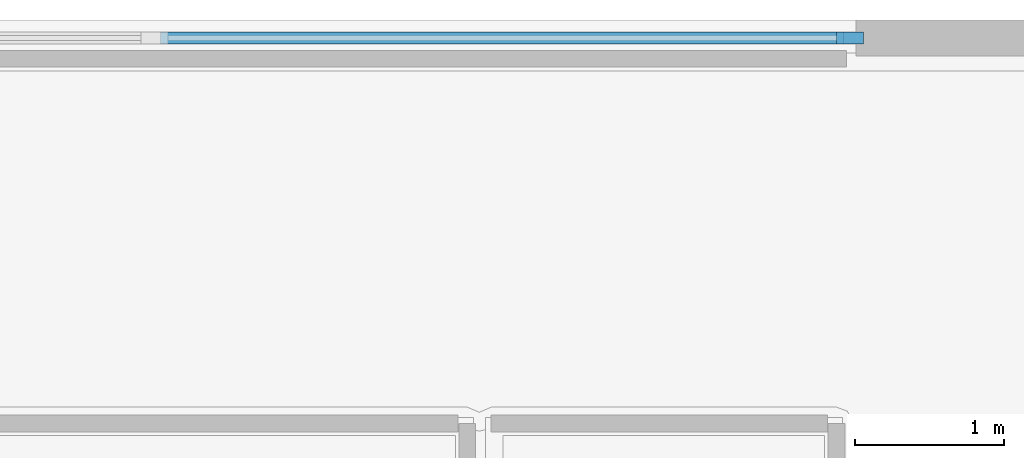
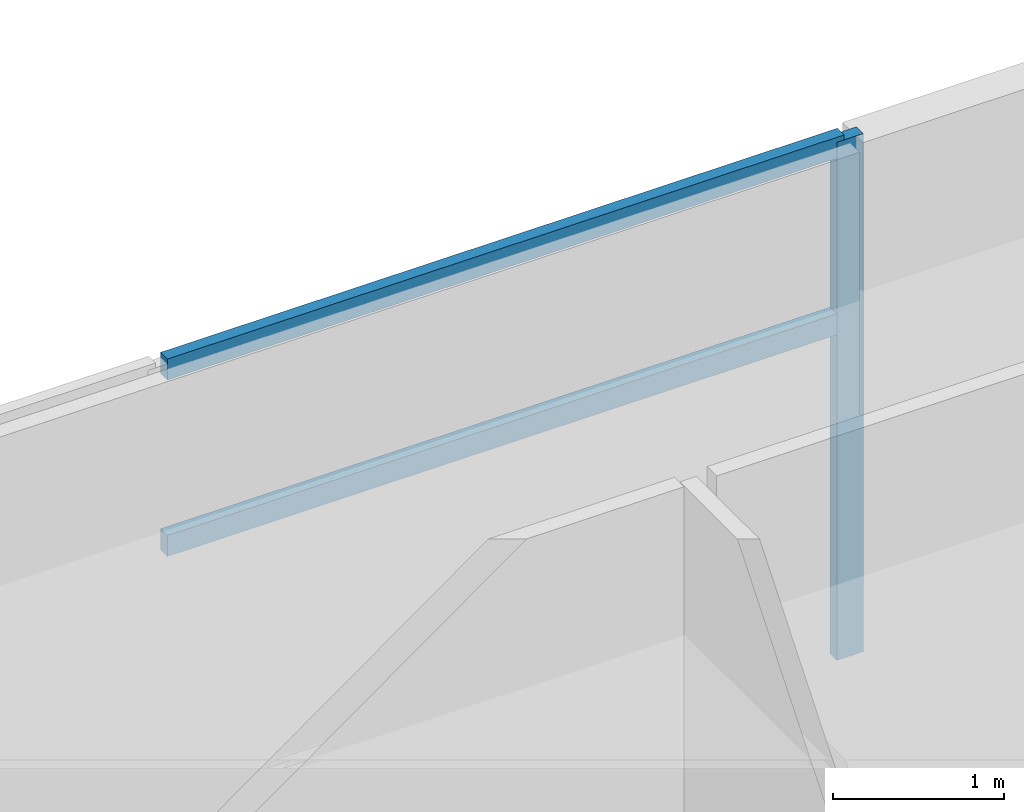
# One storey, part 2 of 8: 3 members, 1 element without a shape of its own.
"""IFC4 building model written with IfcOpenShell, lengths in metres."""

from ifc_helpers import new_model, si_unit, direction, frame, origin, origin_2d, place, context, subcontext, project, spatial, rectangle, extrude, material, layer, layer_set, material_profile, profile_set, type_object, element, aggregate, save


model = new_model("IFC4")

# Units and contexts
model_context = context("Model", 3, precision=1e-05, world=origin(), true_north=direction((0.0, 1.0)))
body_context = subcontext(model_context, "Body", "Model", "MODEL_VIEW")
ifc_project = project(units=[si_unit("LENGTHUNIT", "METRE"), si_unit("AREAUNIT", "SQUARE_METRE"), si_unit("VOLUMEUNIT", "CUBIC_METRE"), si_unit("PLANEANGLEUNIT", "RADIAN"), si_unit("MASSUNIT", "GRAM", prefix="KILO")], contexts=[model_context])

# Site, building, storey
site_placement = place(None, origin())
site = spatial("IfcSite", under=ifc_project, at=site_placement, CompositionType="ELEMENT")
building_placement = place(site_placement, origin())
building = spatial("IfcBuilding", under=site, at=building_placement, Name="Caeloran Harvest Quay", CompositionType="ELEMENT")
storey_placement = place(building_placement, frame((0.0, 0.0, 256.699951171875)))
storey = spatial("IfcBuildingStorey", under=building, at=storey_placement, Name="L61", CompositionType="ELEMENT", Elevation=256.699951171875)

# Curtain wall, members
ifc_material_1 = material(Name="Aluminium 6063-T6 and Low-E Glazing", Category="aluminium")
ifc_layer = layer(ifc_material_1, 0.219970703125, Name="Aluminium 6063-T6 and Low-E Glazing")
ifc_layer_set = layer_set([ifc_layer], Name="Aluminium 6063-T6 and Low-E Glazing")
curtain_wall_type = type_object("IfcCurtainWallType", Name="CW-SYS-CW-5", PredefinedType="USERDEFINED", material=ifc_layer_set)
curtain_wall_placement = place(storey_placement, origin())
curtain_wall = element("IfcCurtainWall", 1, at=curtain_wall_placement, inside=storey, type_object=curtain_wall_type, Name="L61 Unitised Curtain Wall CW-5 Run 6", ObjectType="CURTAIN_WALL", PredefinedType="USERDEFINED")
ifc_material_2 = material(Name="Aluminium 6063-T6", Category="aluminium")
ifc_material_profile_1 = material_profile(ifc_material_2, rectangle(XDim=0.080078125, YDim=0.179931640625, at=origin_2d()), Name="CW-MULLION-180")
ifc_profile_set_1 = profile_set([ifc_material_profile_1], Name="Aluminium 6063-T6")
member_type_1 = type_object("IfcMemberType", Name="CW-MULLION-180", PredefinedType="MULLION", material=ifc_profile_set_1)
member_1_placement = place(storey_placement, frame((30.43994140625, 43.3798828125, 0.0), z_axis=(0.0, 0.0, 1.0), x_axis=(0.0, 1.0, 0.0)))
member_1 = element("IfcMember", 2, at=member_1_placement, type_object=member_type_1, Name="CW-5 mullion 6", PredefinedType="MULLION", context=body_context, shape_type="SweptSolid", body=[
    extrude(rectangle(XDim=0.080078125, YDim=0.179931640625, at=origin_2d()), origin(), (0.0, 0.0, 1.0), 3.699951171875),
])
ifc_material_profile_2 = material_profile(ifc_material_2, rectangle(XDim=0.080078125, YDim=0.14990234375, at=origin_2d()), Name="CW-TRANSOM-150")
ifc_profile_set_2 = profile_set([ifc_material_profile_2], Name="Aluminium 6063-T6")
member_type_2 = type_object("IfcMemberType", Name="CW-TRANSOM-150", PredefinedType="USERDEFINED", material=ifc_profile_set_2)
member_2_placement = place(storey_placement, frame((25.827880859375, 43.3798828125, 2.400146484375), z_axis=(1.0, 0.0, 0.0), x_axis=(0.0, 1.0, 0.0)))
member_2 = element("IfcMember", 3, at=member_2_placement, type_object=member_type_2, Name="CW-5 transom 5.2", ObjectType="TRANSOM", PredefinedType="USERDEFINED", context=body_context, shape_type="SweptSolid", body=[
    extrude(rectangle(XDim=0.080078125, YDim=0.14990234375, at=origin_2d()), origin(), (0.0, 0.0, 1.0), 4.572021484375),
])
member_3_placement = place(storey_placement, frame((25.827880859375, 43.3798828125, 3.66015625), z_axis=(1.0, 0.0, 0.0), x_axis=(0.0, 1.0, 0.0)))
member_3 = element("IfcMember", 4, at=member_3_placement, type_object=member_type_2, Name="CW-5 transom 5.3", ObjectType="TRANSOM", PredefinedType="USERDEFINED", context=body_context, shape_type="SweptSolid", body=[
    extrude(rectangle(XDim=0.080078125, YDim=0.14990234375, at=origin_2d()), origin(), (0.0, 0.0, 1.0), 4.572021484375),
])
aggregate(curtain_wall, [member_1, member_2, member_3])

save(model, "model.ifc")
